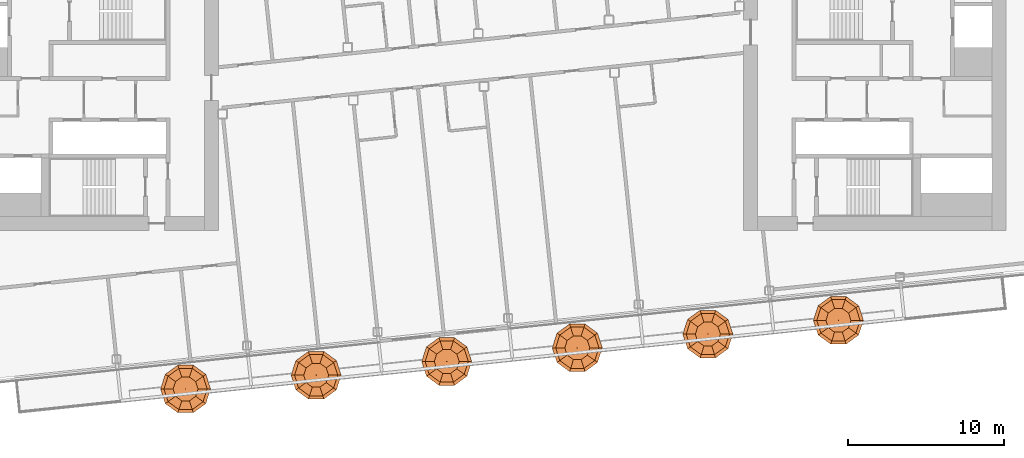
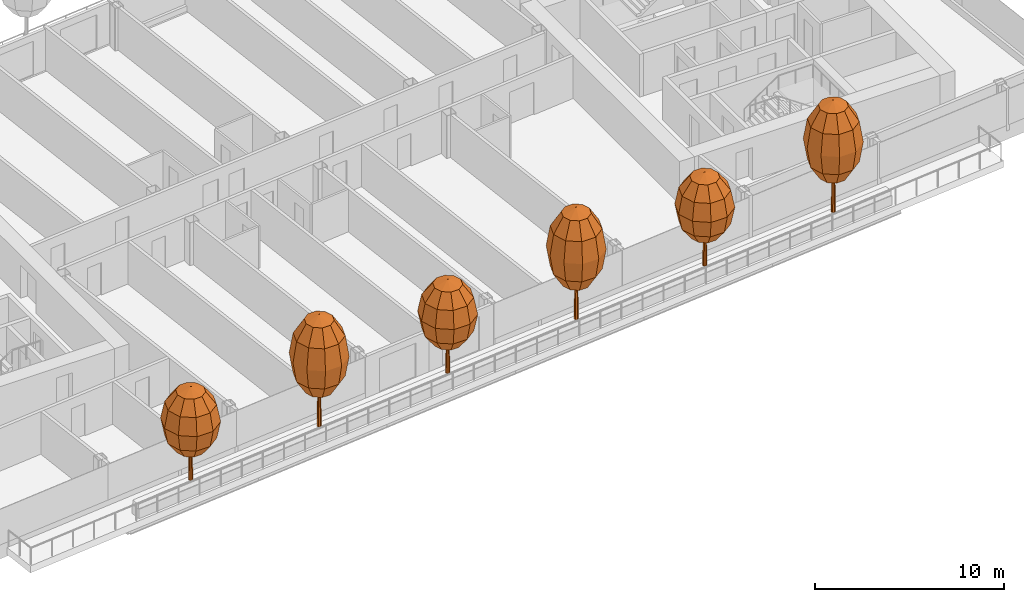
# One storey, part 28 of 29: 6 geographic elements.
"""IFC4 building model written with IfcOpenShell, lengths in metres."""

import ifcopenshell
import ifcopenshell.guid

model = None  # the IFC model being written
_history = None  # IfcOwnerHistory: only IFC2X3 demands one
_inside = {}  # id of a spatial element -> (the spatial element, [elements in it])
_under = {}  # id of a project, library or spatial element -> (it, [spatial elements below it])
_declared = {}  # id of a project -> (the project, [libraries it declares])
_typed = {}  # id of a type object -> (the type object, [elements of that type])
_made_of = {}  # id of a material, layer set ... -> (it, [elements and type objects made of it])


def new_model(schema):
    """Start an empty IFC model of exactly this schema.

    Asked for "IFC4X3", IfcOpenShell would pick the latest addendum, in which some entities
    have other attributes; the version numbers below select the first issue.
    IFC2X3 requires an IfcOwnerHistory on every rooted entity: one is made here for all.
    """
    global model, _history
    if schema == "IFC4X3":
        model = ifcopenshell.file(schema_version=(4, 3, 0, 0))
    else:
        model = ifcopenshell.file(schema=schema)
    _inside.clear()
    _under.clear()
    _declared.clear()
    _typed.clear()
    _made_of.clear()
    _history = None
    if model.schema == "IFC2X3":
        org = make("IfcOrganization", Name="unknown")
        user = make(
            "IfcPersonAndOrganization",
            ThePerson=make("IfcPerson", FamilyName="unknown"),
            TheOrganization=org,
        )
        app = make(
            "IfcApplication",
            ApplicationDeveloper=org,
            Version="unknown",
            ApplicationFullName="unknown",
            ApplicationIdentifier="unknown",
        )
        _history = make(
            "IfcOwnerHistory",
            OwningUser=user,
            OwningApplication=app,
            ChangeAction="ADDED",
            CreationDate=0,
        )
    return model


def make(cls, **values):
    """One entity of the class cls with the attributes given. An attribute that is None is left unset."""
    return model.create_entity(
        cls, **{name: value for name, value in values.items() if value is not None}
    )


def rooted(cls, **values):
    """An entity with a GlobalId (a new one), such as an element, a storey or a relation."""
    return make(cls, GlobalId=ifcopenshell.guid.new(), OwnerHistory=_history, **values)


def si_unit(unit_type, name, prefix=None):
    """IfcSIUnit, for example si_unit("LENGTHUNIT", "METRE", prefix="MILLI")."""
    return make("IfcSIUnit", UnitType=unit_type, Prefix=prefix, Name=name)


def assignment(units):
    """IfcUnitAssignment: the units of a project."""
    return None if units is None else make("IfcUnitAssignment", Units=units)


def point(xyz):
    """IfcCartesianPoint."""
    return None if xyz is None else make("IfcCartesianPoint", Coordinates=xyz)


def direction(xyz):
    """IfcDirection."""
    return None if xyz is None else make("IfcDirection", DirectionRatios=xyz)


def frame(location, z_axis=None, x_axis=None):
    """IfcAxis2Placement3D, a coordinate frame: its origin and axes. An axis left out is left unset."""
    return make(
        "IfcAxis2Placement3D",
        Location=point(location),
        Axis=direction(z_axis),
        RefDirection=direction(x_axis),
    )


def origin():
    """The frame at (0, 0, 0) with its axes left unset."""
    return frame((0.0, 0.0, 0.0))


def place(relative_to, where):
    """IfcLocalPlacement: puts the frame where relative to a parent placement (None: the world)."""
    return make(
        "IfcLocalPlacement", PlacementRelTo=relative_to, RelativePlacement=where
    )


def context(
    kind, dimensions, precision=None, world=None, true_north=None, identifier=None
):
    """IfcGeometricRepresentationContext, for example the 3D "Model" context."""
    return make(
        "IfcGeometricRepresentationContext",
        ContextIdentifier=identifier,
        ContextType=kind,
        CoordinateSpaceDimension=dimensions,
        Precision=precision,
        WorldCoordinateSystem=world,
        TrueNorth=true_north,
    )


def subcontext(parent, identifier, kind, view, scale=None):
    """IfcGeometricRepresentationSubContext, for example "Body" below "Model"."""
    return make(
        "IfcGeometricRepresentationSubContext",
        ContextIdentifier=identifier,
        ContextType=kind,
        ParentContext=parent,
        TargetScale=scale,
        TargetView=view,
    )


def project(units=None, contexts=None):
    """IfcProject with its units and contexts."""
    return rooted(
        "IfcProject",
        Name="project",
        RepresentationContexts=contexts,
        UnitsInContext=assignment(units),
    )


def spatial(cls, under=None, at=None, **own):
    """A site, building, storey or space (cls), placed at a placement, below another one or the project."""
    s = rooted(cls, ObjectPlacement=at, **own)
    if under is not None:
        _under.setdefault(under.id(), (under, []))[1].append(s)
    return s


def point_list(points):
    """IfcCartesianPointList2D or 3D."""
    cls = (
        "IfcCartesianPointList2D" if len(points[0]) == 2 else "IfcCartesianPointList3D"
    )
    return make(cls, CoordList=points)


def triangles(points, corners, closed=None, point_numbers=None):
    """IfcTriangulatedFaceSet: each triangle names its three corners, points numbered from 1."""
    return make(
        "IfcTriangulatedFaceSet",
        Coordinates=point_list(points),
        Closed=closed,
        CoordIndex=corners,
        PnIndex=point_numbers,
    )


def shape(context_of_items, identifier, shape_type, items):
    """IfcShapeRepresentation: the items that make up one representation, for example the "Body"."""
    return make(
        "IfcShapeRepresentation",
        ContextOfItems=context_of_items,
        RepresentationIdentifier=identifier,
        RepresentationType=shape_type,
        Items=items,
    )


def material(Name=None, Category=None):
    """IfcMaterial."""
    return make("IfcMaterial", Name=Name, Category=Category)


def made_of(thing, what):
    """Note that an element or type object is made of a material, layer set ...; save() writes the relation."""
    if what is not None:
        _made_of.setdefault(what.id(), (what, []))[1].append(thing)
    return thing


def type_object(cls, material=None, **own):
    """A type object (cls), such as IfcWallType, which elements share."""
    return made_of(rooted(cls, **own), material)


def element(
    cls,
    number,
    at=None,
    inside=None,
    cuts=None,
    type_object=None,
    material=None,
    context=None,
    identifier="Body",
    shape_type=None,
    held_by="IfcProductDefinitionShape",
    body=None,
    shapes=None,
    **own,
):
    """One element of the class cls, such as IfcWall. Its Tag is "e" and its number.

    at: its placement. inside: the storey or other place that contains it. cuts: it is an
    opening in that element (IfcRelVoidsElement). A single representation is given by context,
    identifier, shape_type and body (its items); several are given by shapes. held_by: the class
    of the entity that holds the representations. save() writes the other relations.
    """
    e = rooted(cls, Tag="e%d" % number, ObjectPlacement=at, **own)
    if body is not None:
        shapes = [shape(context, identifier, shape_type, body)]
    if shapes is not None:
        e.Representation = make(held_by, Representations=shapes)
    if inside is not None:
        _inside.setdefault(inside.id(), (inside, []))[1].append(e)
    if cuts is not None:
        rooted(
            "IfcRelVoidsElement", RelatingBuildingElement=cuts, RelatedOpeningElement=e
        )
    if type_object is not None:
        _typed.setdefault(type_object.id(), (type_object, []))[1].append(e)
    return made_of(e, material)


def aggregate(whole, parts):
    """IfcRelAggregates: a whole, such as a stair, and the parts it consists of."""
    return rooted("IfcRelAggregates", RelatingObject=whole, RelatedObjects=parts)


def save(model, path):
    """Write the relations noted so far, then the file.

    IfcRelAggregates (storeys below a building ...), IfcRelContainedInSpatialStructure (elements
    in a storey), IfcRelDefinesByType, IfcRelAssociatesMaterial and IfcRelDeclares: one each for
    every whole, place, type object, material and project.
    """
    for whole, parts in _under.values():
        aggregate(whole, parts)
    for where, things in _inside.values():
        rooted(
            "IfcRelContainedInSpatialStructure",
            RelatedElements=things,
            RelatingStructure=where,
        )
    for kind, things in _typed.values():
        rooted("IfcRelDefinesByType", RelatedObjects=things, RelatingType=kind)
    for what, things in _made_of.values():
        rooted("IfcRelAssociatesMaterial", RelatedObjects=things, RelatingMaterial=what)
    for by, libraries in _declared.values():
        rooted("IfcRelDeclares", RelatingContext=by, RelatedDefinitions=libraries)
    model.write(path)


model = new_model("IFC4")

# Units and contexts
model_context = context("Model", 3, precision=1e-05, world=origin(), true_north=direction((0.0, 1.0)))
body_context = subcontext(model_context, "Body", "Model", "MODEL_VIEW")
ifc_project = project(units=[si_unit("LENGTHUNIT", "METRE"), si_unit("AREAUNIT", "SQUARE_METRE"), si_unit("VOLUMEUNIT", "CUBIC_METRE"), si_unit("PLANEANGLEUNIT", "RADIAN"), si_unit("MASSUNIT", "GRAM", prefix="KILO")], contexts=[model_context])

# Site, building, storey
site_placement = place(None, origin())
site = spatial("IfcSite", under=ifc_project, at=site_placement, CompositionType="ELEMENT")
building_placement = place(site_placement, origin())
building = spatial("IfcBuilding", under=site, at=building_placement, Name="Hakoniwa Tower and Hamabe Station Hall", CompositionType="ELEMENT")
storey_placement = place(building_placement, frame((0.0, 0.0, 258.199951171875)))
storey = spatial("IfcBuildingStorey", under=building, at=storey_placement, Name="L73", CompositionType="ELEMENT", Elevation=258.199951171875)

# Geographic elements
ifc_material_1 = material(Name="Tree foliage")
geographic_element_type_1 = type_object("IfcGeographicElementType", Name="Japanese maple 7.2 m", PredefinedType="USERDEFINED", material=ifc_material_1)
geographic_element_1_placement = place(storey_placement, frame((-10.550048828125, -17.663330078125, 0.900146484375)))
element("IfcGeographicElement", 1, at=geographic_element_1_placement, inside=storey, type_object=geographic_element_type_1, Name="Japanese maple 7-2 m", ObjectType="TREE", PredefinedType="USERDEFINED", context=body_context, shape_type="Tessellation", body=[
    triangles([(0.125, 0.0, 0.0), (0.08837890625, 0.08837890625, 0.0), (0.0, 0.125, 0.0), (-0.08837890625, 0.08837890625, 0.0), (-0.125, 0.0, 0.0), (-0.08837890625, -0.08837890625, 0.0), (0.0, -0.125, 0.0), (0.08837890625, -0.08837890625, 0.0), (0.074951171875, 0.0, 4.348876953125), (0.052978515625, 0.052978515625, 4.348876953125), (0.0, 0.074951171875, 4.348876953125), (-0.052978515625, 0.052978515625, 4.348876953125), (-0.074951171875, 0.0, 4.348876953125), (-0.052978515625, -0.052978515625, 4.348876953125), (0.0, -0.074951171875, 4.348876953125), (0.052978515625, -0.052978515625, 4.348876953125), (0.0, 0.0, 0.0), (0.0, 0.0, 4.348876953125)], [[1, 2, 10], [1, 10, 9], [17, 2, 1], [18, 9, 10], [2, 3, 11], [2, 11, 10], [17, 3, 2], [18, 10, 11], [3, 4, 12], [3, 12, 11], [17, 4, 3], [18, 11, 12], [4, 5, 13], [4, 13, 12], [17, 5, 4], [18, 12, 13], [5, 6, 14], [5, 14, 13], [17, 6, 5], [18, 13, 14], [6, 7, 15], [6, 15, 14], [17, 7, 6], [18, 14, 15], [7, 8, 16], [7, 16, 15], [17, 8, 7], [18, 15, 16], [8, 1, 9], [8, 9, 16], [17, 1, 8], [18, 16, 9]], closed=True),
    triangles([(0.0, 0.0, 2.015869140625), (0.800048828125, 0.0, 2.36328125), (0.647216796875, 0.47021484375, 2.36328125), (0.247314453125, 0.7607421875, 2.36328125), (-0.247314453125, 0.7607421875, 2.36328125), (-0.647216796875, 0.47021484375, 2.36328125), (-0.800048828125, 0.0, 2.36328125), (-0.647216796875, -0.47021484375, 2.36328125), (-0.247314453125, -0.7607421875, 2.36328125), (0.247314453125, -0.7607421875, 2.36328125), (0.647216796875, -0.47021484375, 2.36328125), (1.385498046875, 0.0, 3.31201171875), (1.12109375, 0.814453125, 3.31201171875), (0.42822265625, 1.31787109375, 3.31201171875), (-0.42822265625, 1.31787109375, 3.31201171875), (-1.12109375, 0.814453125, 3.31201171875), (-1.385498046875, 0.0, 3.31201171875), (-1.12109375, -0.814453125, 3.31201171875), (-0.42822265625, -1.31787109375, 3.31201171875), (0.42822265625, -1.31787109375, 3.31201171875), (1.12109375, -0.814453125, 3.31201171875), (1.60009765625, 0.0, 4.60791015625), (1.29443359375, 0.9404296875, 4.60791015625), (0.494384765625, 1.521728515625, 4.60791015625), (-0.494384765625, 1.521728515625, 4.60791015625), (-1.29443359375, 0.9404296875, 4.60791015625), (-1.60009765625, 0.0, 4.60791015625), (-1.29443359375, -0.9404296875, 4.60791015625), (-0.494384765625, -1.521728515625, 4.60791015625), (0.494384765625, -1.521728515625, 4.60791015625), (1.29443359375, -0.9404296875, 4.60791015625), (1.385498046875, 0.0, 5.904052734375), (1.12109375, 0.814453125, 5.904052734375), (0.42822265625, 1.31787109375, 5.904052734375), (-0.42822265625, 1.31787109375, 5.904052734375), (-1.12109375, 0.814453125, 5.904052734375), (-1.385498046875, 0.0, 5.904052734375), (-1.12109375, -0.814453125, 5.904052734375), (-0.42822265625, -1.31787109375, 5.904052734375), (0.42822265625, -1.31787109375, 5.904052734375), (1.12109375, -0.814453125, 5.904052734375), (0.800048828125, 0.0, 6.852783203125), (0.647216796875, 0.47021484375, 6.852783203125), (0.247314453125, 0.7607421875, 6.852783203125), (-0.247314453125, 0.7607421875, 6.852783203125), (-0.647216796875, 0.47021484375, 6.852783203125), (-0.800048828125, 0.0, 6.852783203125), (-0.647216796875, -0.47021484375, 6.852783203125), (-0.247314453125, -0.7607421875, 6.852783203125), (0.247314453125, -0.7607421875, 6.852783203125), (0.647216796875, -0.47021484375, 6.852783203125), (0.0, 0.0, 7.199951171875)], [[1, 3, 2], [1, 4, 3], [1, 5, 4], [1, 6, 5], [1, 7, 6], [1, 8, 7], [1, 9, 8], [1, 10, 9], [1, 11, 10], [1, 2, 11], [2, 3, 13], [2, 13, 12], [3, 4, 14], [3, 14, 13], [4, 5, 15], [4, 15, 14], [5, 6, 16], [5, 16, 15], [6, 7, 17], [6, 17, 16], [7, 8, 18], [7, 18, 17], [8, 9, 19], [8, 19, 18], [9, 10, 20], [9, 20, 19], [10, 11, 21], [10, 21, 20], [11, 2, 12], [11, 12, 21], [12, 13, 23], [12, 23, 22], [13, 14, 24], [13, 24, 23], [14, 15, 25], [14, 25, 24], [15, 16, 26], [15, 26, 25], [16, 17, 27], [16, 27, 26], [17, 18, 28], [17, 28, 27], [18, 19, 29], [18, 29, 28], [19, 20, 30], [19, 30, 29], [20, 21, 31], [20, 31, 30], [21, 12, 22], [21, 22, 31], [22, 23, 33], [22, 33, 32], [23, 24, 34], [23, 34, 33], [24, 25, 35], [24, 35, 34], [25, 26, 36], [25, 36, 35], [26, 27, 37], [26, 37, 36], [27, 28, 38], [27, 38, 37], [28, 29, 39], [28, 39, 38], [29, 30, 40], [29, 40, 39], [30, 31, 41], [30, 41, 40], [31, 22, 32], [31, 32, 41], [32, 33, 43], [32, 43, 42], [33, 34, 44], [33, 44, 43], [34, 35, 45], [34, 45, 44], [35, 36, 46], [35, 46, 45], [36, 37, 47], [36, 47, 46], [37, 38, 48], [37, 48, 47], [38, 39, 49], [38, 49, 48], [39, 40, 50], [39, 50, 49], [40, 41, 51], [40, 51, 50], [41, 32, 42], [41, 42, 51], [52, 42, 43], [52, 43, 44], [52, 44, 45], [52, 45, 46], [52, 46, 47], [52, 47, 48], [52, 48, 49], [52, 49, 50], [52, 50, 51], [52, 51, 42]], closed=True),
])
geographic_element_2_placement = place(storey_placement, frame((6.15771484375, -15.9072265625, 0.900146484375)))
element("IfcGeographicElement", 2, at=geographic_element_2_placement, inside=storey, type_object=geographic_element_type_1, Name="Japanese maple 7-2 m", ObjectType="TREE", PredefinedType="USERDEFINED", context=body_context, shape_type="Tessellation", body=[
    triangles([(0.125, 0.0, 0.0), (0.08837890625, 0.08837890625, 0.0), (0.0, 0.125, 0.0), (-0.08837890625, 0.08837890625, 0.0), (-0.125, 0.0, 0.0), (-0.08837890625, -0.08837890625, 0.0), (0.0, -0.125, 0.0), (0.08837890625, -0.08837890625, 0.0), (0.074951171875, 0.0, 4.348876953125), (0.052978515625, 0.052978515625, 4.348876953125), (0.0, 0.074951171875, 4.348876953125), (-0.052978515625, 0.052978515625, 4.348876953125), (-0.074951171875, 0.0, 4.348876953125), (-0.052978515625, -0.052978515625, 4.348876953125), (0.0, -0.074951171875, 4.348876953125), (0.052978515625, -0.052978515625, 4.348876953125), (0.0, 0.0, 0.0), (0.0, 0.0, 4.348876953125)], [[1, 2, 10], [1, 10, 9], [17, 2, 1], [18, 9, 10], [2, 3, 11], [2, 11, 10], [17, 3, 2], [18, 10, 11], [3, 4, 12], [3, 12, 11], [17, 4, 3], [18, 11, 12], [4, 5, 13], [4, 13, 12], [17, 5, 4], [18, 12, 13], [5, 6, 14], [5, 14, 13], [17, 6, 5], [18, 13, 14], [6, 7, 15], [6, 15, 14], [17, 7, 6], [18, 14, 15], [7, 8, 16], [7, 16, 15], [17, 8, 7], [18, 15, 16], [8, 1, 9], [8, 9, 16], [17, 1, 8], [18, 16, 9]], closed=True),
    triangles([(0.0, 0.0, 2.015869140625), (0.800048828125, 0.0, 2.36328125), (0.647216796875, 0.47021484375, 2.36328125), (0.247314453125, 0.7607421875, 2.36328125), (-0.247314453125, 0.7607421875, 2.36328125), (-0.647216796875, 0.47021484375, 2.36328125), (-0.800048828125, 0.0, 2.36328125), (-0.647216796875, -0.47021484375, 2.36328125), (-0.247314453125, -0.7607421875, 2.36328125), (0.247314453125, -0.7607421875, 2.36328125), (0.647216796875, -0.47021484375, 2.36328125), (1.385498046875, 0.0, 3.31201171875), (1.12109375, 0.814453125, 3.31201171875), (0.42822265625, 1.31787109375, 3.31201171875), (-0.42822265625, 1.31787109375, 3.31201171875), (-1.12109375, 0.814453125, 3.31201171875), (-1.385498046875, 0.0, 3.31201171875), (-1.12109375, -0.814453125, 3.31201171875), (-0.42822265625, -1.31787109375, 3.31201171875), (0.42822265625, -1.31787109375, 3.31201171875), (1.12109375, -0.814453125, 3.31201171875), (1.60009765625, 0.0, 4.60791015625), (1.29443359375, 0.9404296875, 4.60791015625), (0.494384765625, 1.521728515625, 4.60791015625), (-0.494384765625, 1.521728515625, 4.60791015625), (-1.29443359375, 0.9404296875, 4.60791015625), (-1.60009765625, 0.0, 4.60791015625), (-1.29443359375, -0.9404296875, 4.60791015625), (-0.494384765625, -1.521728515625, 4.60791015625), (0.494384765625, -1.521728515625, 4.60791015625), (1.29443359375, -0.9404296875, 4.60791015625), (1.385498046875, 0.0, 5.904052734375), (1.12109375, 0.814453125, 5.904052734375), (0.42822265625, 1.31787109375, 5.904052734375), (-0.42822265625, 1.31787109375, 5.904052734375), (-1.12109375, 0.814453125, 5.904052734375), (-1.385498046875, 0.0, 5.904052734375), (-1.12109375, -0.814453125, 5.904052734375), (-0.42822265625, -1.31787109375, 5.904052734375), (0.42822265625, -1.31787109375, 5.904052734375), (1.12109375, -0.814453125, 5.904052734375), (0.800048828125, 0.0, 6.852783203125), (0.647216796875, 0.47021484375, 6.852783203125), (0.247314453125, 0.7607421875, 6.852783203125), (-0.247314453125, 0.7607421875, 6.852783203125), (-0.647216796875, 0.47021484375, 6.852783203125), (-0.800048828125, 0.0, 6.852783203125), (-0.647216796875, -0.47021484375, 6.852783203125), (-0.247314453125, -0.7607421875, 6.852783203125), (0.247314453125, -0.7607421875, 6.852783203125), (0.647216796875, -0.47021484375, 6.852783203125), (0.0, 0.0, 7.199951171875)], [[1, 3, 2], [1, 4, 3], [1, 5, 4], [1, 6, 5], [1, 7, 6], [1, 8, 7], [1, 9, 8], [1, 10, 9], [1, 11, 10], [1, 2, 11], [2, 3, 13], [2, 13, 12], [3, 4, 14], [3, 14, 13], [4, 5, 15], [4, 15, 14], [5, 6, 16], [5, 16, 15], [6, 7, 17], [6, 17, 16], [7, 8, 18], [7, 18, 17], [8, 9, 19], [8, 19, 18], [9, 10, 20], [9, 20, 19], [10, 11, 21], [10, 21, 20], [11, 2, 12], [11, 12, 21], [12, 13, 23], [12, 23, 22], [13, 14, 24], [13, 24, 23], [14, 15, 25], [14, 25, 24], [15, 16, 26], [15, 26, 25], [16, 17, 27], [16, 27, 26], [17, 18, 28], [17, 28, 27], [18, 19, 29], [18, 29, 28], [19, 20, 30], [19, 30, 29], [20, 21, 31], [20, 31, 30], [21, 12, 22], [21, 22, 31], [22, 23, 33], [22, 33, 32], [23, 24, 34], [23, 34, 33], [24, 25, 35], [24, 35, 34], [25, 26, 36], [25, 36, 35], [26, 27, 37], [26, 37, 36], [27, 28, 38], [27, 38, 37], [28, 29, 39], [28, 39, 38], [29, 30, 40], [29, 40, 39], [30, 31, 41], [30, 41, 40], [31, 22, 32], [31, 32, 41], [32, 33, 43], [32, 43, 42], [33, 34, 44], [33, 44, 43], [34, 35, 45], [34, 45, 44], [35, 36, 46], [35, 46, 45], [36, 37, 47], [36, 47, 46], [37, 38, 48], [37, 48, 47], [38, 39, 49], [38, 49, 48], [39, 40, 50], [39, 50, 49], [40, 41, 51], [40, 51, 50], [41, 32, 42], [41, 42, 51], [52, 42, 43], [52, 43, 44], [52, 44, 45], [52, 45, 46], [52, 46, 47], [52, 47, 48], [52, 48, 49], [52, 49, 50], [52, 50, 51], [52, 51, 42]], closed=True),
])
geographic_element_3_placement = place(storey_placement, frame((22.86572265625, -14.151123046875, 0.900146484375)))
element("IfcGeographicElement", 3, at=geographic_element_3_placement, inside=storey, type_object=geographic_element_type_1, Name="Japanese maple 7-2 m", ObjectType="TREE", PredefinedType="USERDEFINED", context=body_context, shape_type="Tessellation", body=[
    triangles([(0.125, 0.0, 0.0), (0.08837890625, 0.08837890625, 0.0), (0.0, 0.125, 0.0), (-0.08837890625, 0.08837890625, 0.0), (-0.125, 0.0, 0.0), (-0.08837890625, -0.08837890625, 0.0), (0.0, -0.125, 0.0), (0.08837890625, -0.08837890625, 0.0), (0.074951171875, 0.0, 4.348876953125), (0.052978515625, 0.052978515625, 4.348876953125), (0.0, 0.074951171875, 4.348876953125), (-0.052978515625, 0.052978515625, 4.348876953125), (-0.074951171875, 0.0, 4.348876953125), (-0.052978515625, -0.052978515625, 4.348876953125), (0.0, -0.074951171875, 4.348876953125), (0.052978515625, -0.052978515625, 4.348876953125), (0.0, 0.0, 0.0), (0.0, 0.0, 4.348876953125)], [[1, 2, 10], [1, 10, 9], [17, 2, 1], [18, 9, 10], [2, 3, 11], [2, 11, 10], [17, 3, 2], [18, 10, 11], [3, 4, 12], [3, 12, 11], [17, 4, 3], [18, 11, 12], [4, 5, 13], [4, 13, 12], [17, 5, 4], [18, 12, 13], [5, 6, 14], [5, 14, 13], [17, 6, 5], [18, 13, 14], [6, 7, 15], [6, 15, 14], [17, 7, 6], [18, 14, 15], [7, 8, 16], [7, 16, 15], [17, 8, 7], [18, 15, 16], [8, 1, 9], [8, 9, 16], [17, 1, 8], [18, 16, 9]], closed=True),
    triangles([(0.0, 0.0, 2.015869140625), (0.800048828125, 0.0, 2.36328125), (0.647216796875, 0.47021484375, 2.36328125), (0.247314453125, 0.7607421875, 2.36328125), (-0.247314453125, 0.7607421875, 2.36328125), (-0.647216796875, 0.47021484375, 2.36328125), (-0.800048828125, 0.0, 2.36328125), (-0.647216796875, -0.47021484375, 2.36328125), (-0.247314453125, -0.7607421875, 2.36328125), (0.247314453125, -0.7607421875, 2.36328125), (0.647216796875, -0.47021484375, 2.36328125), (1.385498046875, 0.0, 3.31201171875), (1.12109375, 0.814453125, 3.31201171875), (0.42822265625, 1.31787109375, 3.31201171875), (-0.42822265625, 1.31787109375, 3.31201171875), (-1.12109375, 0.814453125, 3.31201171875), (-1.385498046875, 0.0, 3.31201171875), (-1.12109375, -0.814453125, 3.31201171875), (-0.42822265625, -1.31787109375, 3.31201171875), (0.42822265625, -1.31787109375, 3.31201171875), (1.12109375, -0.814453125, 3.31201171875), (1.60009765625, 0.0, 4.60791015625), (1.29443359375, 0.9404296875, 4.60791015625), (0.494384765625, 1.521728515625, 4.60791015625), (-0.494384765625, 1.521728515625, 4.60791015625), (-1.29443359375, 0.9404296875, 4.60791015625), (-1.60009765625, 0.0, 4.60791015625), (-1.29443359375, -0.9404296875, 4.60791015625), (-0.494384765625, -1.521728515625, 4.60791015625), (0.494384765625, -1.521728515625, 4.60791015625), (1.29443359375, -0.9404296875, 4.60791015625), (1.385498046875, 0.0, 5.904052734375), (1.12109375, 0.814453125, 5.904052734375), (0.42822265625, 1.31787109375, 5.904052734375), (-0.42822265625, 1.31787109375, 5.904052734375), (-1.12109375, 0.814453125, 5.904052734375), (-1.385498046875, 0.0, 5.904052734375), (-1.12109375, -0.814453125, 5.904052734375), (-0.42822265625, -1.31787109375, 5.904052734375), (0.42822265625, -1.31787109375, 5.904052734375), (1.12109375, -0.814453125, 5.904052734375), (0.800048828125, 0.0, 6.852783203125), (0.647216796875, 0.47021484375, 6.852783203125), (0.247314453125, 0.7607421875, 6.852783203125), (-0.247314453125, 0.7607421875, 6.852783203125), (-0.647216796875, 0.47021484375, 6.852783203125), (-0.800048828125, 0.0, 6.852783203125), (-0.647216796875, -0.47021484375, 6.852783203125), (-0.247314453125, -0.7607421875, 6.852783203125), (0.247314453125, -0.7607421875, 6.852783203125), (0.647216796875, -0.47021484375, 6.852783203125), (0.0, 0.0, 7.199951171875)], [[1, 3, 2], [1, 4, 3], [1, 5, 4], [1, 6, 5], [1, 7, 6], [1, 8, 7], [1, 9, 8], [1, 10, 9], [1, 11, 10], [1, 2, 11], [2, 3, 13], [2, 13, 12], [3, 4, 14], [3, 14, 13], [4, 5, 15], [4, 15, 14], [5, 6, 16], [5, 16, 15], [6, 7, 17], [6, 17, 16], [7, 8, 18], [7, 18, 17], [8, 9, 19], [8, 19, 18], [9, 10, 20], [9, 20, 19], [10, 11, 21], [10, 21, 20], [11, 2, 12], [11, 12, 21], [12, 13, 23], [12, 23, 22], [13, 14, 24], [13, 24, 23], [14, 15, 25], [14, 25, 24], [15, 16, 26], [15, 26, 25], [16, 17, 27], [16, 27, 26], [17, 18, 28], [17, 28, 27], [18, 19, 29], [18, 29, 28], [19, 20, 30], [19, 30, 29], [20, 21, 31], [20, 31, 30], [21, 12, 22], [21, 22, 31], [22, 23, 33], [22, 33, 32], [23, 24, 34], [23, 34, 33], [24, 25, 35], [24, 35, 34], [25, 26, 36], [25, 36, 35], [26, 27, 37], [26, 37, 36], [27, 28, 38], [27, 38, 37], [28, 29, 39], [28, 39, 38], [29, 30, 40], [29, 40, 39], [30, 31, 41], [30, 41, 40], [31, 22, 32], [31, 32, 41], [32, 33, 43], [32, 43, 42], [33, 34, 44], [33, 44, 43], [34, 35, 45], [34, 45, 44], [35, 36, 46], [35, 46, 45], [36, 37, 47], [36, 47, 46], [37, 38, 48], [37, 48, 47], [38, 39, 49], [38, 49, 48], [39, 40, 50], [39, 50, 49], [40, 41, 51], [40, 51, 50], [41, 32, 42], [41, 42, 51], [52, 42, 43], [52, 43, 44], [52, 44, 45], [52, 45, 46], [52, 46, 47], [52, 47, 48], [52, 48, 49], [52, 49, 50], [52, 50, 51], [52, 51, 42]], closed=True),
])
ifc_material_2 = material(Name="Tree foliage")
geographic_element_type_2 = type_object("IfcGeographicElementType", Name="Osmanthus 6.0 m", PredefinedType="USERDEFINED", material=ifc_material_2)
geographic_element_4_placement = place(storey_placement, frame((-18.904052734375, -18.541259765625, 0.900146484375)))
element("IfcGeographicElement", 4, at=geographic_element_4_placement, inside=storey, type_object=geographic_element_type_2, Name="Osmanthus 6-0 m", ObjectType="TREE", PredefinedType="USERDEFINED", context=body_context, shape_type="Tessellation", body=[
    triangles([(0.125, 0.0, 0.0), (0.08837890625, 0.08837890625, 0.0), (0.0, 0.125, 0.0), (-0.08837890625, 0.08837890625, 0.0), (-0.125, 0.0, 0.0), (-0.08837890625, -0.08837890625, 0.0), (0.0, -0.125, 0.0), (0.08837890625, -0.08837890625, 0.0), (0.074951171875, 0.0, 3.6240234375), (0.052978515625, 0.052978515625, 3.6240234375), (0.0, 0.074951171875, 3.6240234375), (-0.052978515625, 0.052978515625, 3.6240234375), (-0.074951171875, 0.0, 3.6240234375), (-0.052978515625, -0.052978515625, 3.6240234375), (0.0, -0.074951171875, 3.6240234375), (0.052978515625, -0.052978515625, 3.6240234375), (0.0, 0.0, 0.0), (0.0, 0.0, 3.6240234375)], [[1, 2, 10], [1, 10, 9], [17, 2, 1], [18, 9, 10], [2, 3, 11], [2, 11, 10], [17, 3, 2], [18, 10, 11], [3, 4, 12], [3, 12, 11], [17, 4, 3], [18, 11, 12], [4, 5, 13], [4, 13, 12], [17, 5, 4], [18, 12, 13], [5, 6, 14], [5, 14, 13], [17, 6, 5], [18, 13, 14], [6, 7, 15], [6, 15, 14], [17, 7, 6], [18, 14, 15], [7, 8, 16], [7, 16, 15], [17, 8, 7], [18, 15, 16], [8, 1, 9], [8, 9, 16], [17, 1, 8], [18, 16, 9]], closed=True),
    triangles([(0.0, 0.0, 1.679931640625), (0.800048828125, 0.0, 1.969482421875), (0.647216796875, 0.47021484375, 1.969482421875), (0.247314453125, 0.7607421875, 1.969482421875), (-0.247314453125, 0.7607421875, 1.969482421875), (-0.647216796875, 0.47021484375, 1.969482421875), (-0.800048828125, 0.0, 1.969482421875), (-0.647216796875, -0.47021484375, 1.969482421875), (-0.247314453125, -0.7607421875, 1.969482421875), (0.247314453125, -0.7607421875, 1.969482421875), (0.647216796875, -0.47021484375, 1.969482421875), (1.385498046875, 0.0, 2.760009765625), (1.12109375, 0.814453125, 2.760009765625), (0.42822265625, 1.31787109375, 2.760009765625), (-0.42822265625, 1.31787109375, 2.760009765625), (-1.12109375, 0.814453125, 2.760009765625), (-1.385498046875, 0.0, 2.760009765625), (-1.12109375, -0.814453125, 2.760009765625), (-0.42822265625, -1.31787109375, 2.760009765625), (0.42822265625, -1.31787109375, 2.760009765625), (1.12109375, -0.814453125, 2.760009765625), (1.60009765625, 0.0, 3.840087890625), (1.29443359375, 0.9404296875, 3.840087890625), (0.494384765625, 1.521728515625, 3.840087890625), (-0.494384765625, 1.521728515625, 3.840087890625), (-1.29443359375, 0.9404296875, 3.840087890625), (-1.60009765625, 0.0, 3.840087890625), (-1.29443359375, -0.9404296875, 3.840087890625), (-0.494384765625, -1.521728515625, 3.840087890625), (0.494384765625, -1.521728515625, 3.840087890625), (1.29443359375, -0.9404296875, 3.840087890625), (1.385498046875, 0.0, 4.919921875), (1.12109375, 0.814453125, 4.919921875), (0.42822265625, 1.31787109375, 4.919921875), (-0.42822265625, 1.31787109375, 4.919921875), (-1.12109375, 0.814453125, 4.919921875), (-1.385498046875, 0.0, 4.919921875), (-1.12109375, -0.814453125, 4.919921875), (-0.42822265625, -1.31787109375, 4.919921875), (0.42822265625, -1.31787109375, 4.919921875), (1.12109375, -0.814453125, 4.919921875), (0.800048828125, 0.0, 5.710693359375), (0.647216796875, 0.47021484375, 5.710693359375), (0.247314453125, 0.7607421875, 5.710693359375), (-0.247314453125, 0.7607421875, 5.710693359375), (-0.647216796875, 0.47021484375, 5.710693359375), (-0.800048828125, 0.0, 5.710693359375), (-0.647216796875, -0.47021484375, 5.710693359375), (-0.247314453125, -0.7607421875, 5.710693359375), (0.247314453125, -0.7607421875, 5.710693359375), (0.647216796875, -0.47021484375, 5.710693359375), (0.0, 0.0, 6.0)], [[1, 3, 2], [1, 4, 3], [1, 5, 4], [1, 6, 5], [1, 7, 6], [1, 8, 7], [1, 9, 8], [1, 10, 9], [1, 11, 10], [1, 2, 11], [2, 3, 13], [2, 13, 12], [3, 4, 14], [3, 14, 13], [4, 5, 15], [4, 15, 14], [5, 6, 16], [5, 16, 15], [6, 7, 17], [6, 17, 16], [7, 8, 18], [7, 18, 17], [8, 9, 19], [8, 19, 18], [9, 10, 20], [9, 20, 19], [10, 11, 21], [10, 21, 20], [11, 2, 12], [11, 12, 21], [12, 13, 23], [12, 23, 22], [13, 14, 24], [13, 24, 23], [14, 15, 25], [14, 25, 24], [15, 16, 26], [15, 26, 25], [16, 17, 27], [16, 27, 26], [17, 18, 28], [17, 28, 27], [18, 19, 29], [18, 29, 28], [19, 20, 30], [19, 30, 29], [20, 21, 31], [20, 31, 30], [21, 12, 22], [21, 22, 31], [22, 23, 33], [22, 33, 32], [23, 24, 34], [23, 34, 33], [24, 25, 35], [24, 35, 34], [25, 26, 36], [25, 36, 35], [26, 27, 37], [26, 37, 36], [27, 28, 38], [27, 38, 37], [28, 29, 39], [28, 39, 38], [29, 30, 40], [29, 40, 39], [30, 31, 41], [30, 41, 40], [31, 22, 32], [31, 32, 41], [32, 33, 43], [32, 43, 42], [33, 34, 44], [33, 44, 43], [34, 35, 45], [34, 45, 44], [35, 36, 46], [35, 46, 45], [36, 37, 47], [36, 47, 46], [37, 38, 48], [37, 48, 47], [38, 39, 49], [38, 49, 48], [39, 40, 50], [39, 50, 49], [40, 41, 51], [40, 51, 50], [41, 32, 42], [41, 42, 51], [52, 42, 43], [52, 43, 44], [52, 44, 45], [52, 45, 46], [52, 46, 47], [52, 47, 48], [52, 48, 49], [52, 49, 50], [52, 50, 51], [52, 51, 42]], closed=True),
])
geographic_element_5_placement = place(storey_placement, frame((-2.1962890625, -16.78515625, 0.900146484375)))
element("IfcGeographicElement", 5, at=geographic_element_5_placement, inside=storey, type_object=geographic_element_type_2, Name="Osmanthus 6-0 m", ObjectType="TREE", PredefinedType="USERDEFINED", context=body_context, shape_type="Tessellation", body=[
    triangles([(0.125, 0.0, 0.0), (0.08837890625, 0.08837890625, 0.0), (0.0, 0.125, 0.0), (-0.08837890625, 0.08837890625, 0.0), (-0.125, 0.0, 0.0), (-0.08837890625, -0.08837890625, 0.0), (0.0, -0.125, 0.0), (0.08837890625, -0.08837890625, 0.0), (0.074951171875, 0.0, 3.6240234375), (0.052978515625, 0.052978515625, 3.6240234375), (0.0, 0.074951171875, 3.6240234375), (-0.052978515625, 0.052978515625, 3.6240234375), (-0.074951171875, 0.0, 3.6240234375), (-0.052978515625, -0.052978515625, 3.6240234375), (0.0, -0.074951171875, 3.6240234375), (0.052978515625, -0.052978515625, 3.6240234375), (0.0, 0.0, 0.0), (0.0, 0.0, 3.6240234375)], [[1, 2, 10], [1, 10, 9], [17, 2, 1], [18, 9, 10], [2, 3, 11], [2, 11, 10], [17, 3, 2], [18, 10, 11], [3, 4, 12], [3, 12, 11], [17, 4, 3], [18, 11, 12], [4, 5, 13], [4, 13, 12], [17, 5, 4], [18, 12, 13], [5, 6, 14], [5, 14, 13], [17, 6, 5], [18, 13, 14], [6, 7, 15], [6, 15, 14], [17, 7, 6], [18, 14, 15], [7, 8, 16], [7, 16, 15], [17, 8, 7], [18, 15, 16], [8, 1, 9], [8, 9, 16], [17, 1, 8], [18, 16, 9]], closed=True),
    triangles([(0.0, 0.0, 1.679931640625), (0.800048828125, 0.0, 1.969482421875), (0.647216796875, 0.47021484375, 1.969482421875), (0.247314453125, 0.7607421875, 1.969482421875), (-0.247314453125, 0.7607421875, 1.969482421875), (-0.647216796875, 0.47021484375, 1.969482421875), (-0.800048828125, 0.0, 1.969482421875), (-0.647216796875, -0.47021484375, 1.969482421875), (-0.247314453125, -0.7607421875, 1.969482421875), (0.247314453125, -0.7607421875, 1.969482421875), (0.647216796875, -0.47021484375, 1.969482421875), (1.385498046875, 0.0, 2.760009765625), (1.12109375, 0.814453125, 2.760009765625), (0.42822265625, 1.31787109375, 2.760009765625), (-0.42822265625, 1.31787109375, 2.760009765625), (-1.12109375, 0.814453125, 2.760009765625), (-1.385498046875, 0.0, 2.760009765625), (-1.12109375, -0.814453125, 2.760009765625), (-0.42822265625, -1.31787109375, 2.760009765625), (0.42822265625, -1.31787109375, 2.760009765625), (1.12109375, -0.814453125, 2.760009765625), (1.60009765625, 0.0, 3.840087890625), (1.29443359375, 0.9404296875, 3.840087890625), (0.494384765625, 1.521728515625, 3.840087890625), (-0.494384765625, 1.521728515625, 3.840087890625), (-1.29443359375, 0.9404296875, 3.840087890625), (-1.60009765625, 0.0, 3.840087890625), (-1.29443359375, -0.9404296875, 3.840087890625), (-0.494384765625, -1.521728515625, 3.840087890625), (0.494384765625, -1.521728515625, 3.840087890625), (1.29443359375, -0.9404296875, 3.840087890625), (1.385498046875, 0.0, 4.919921875), (1.12109375, 0.814453125, 4.919921875), (0.42822265625, 1.31787109375, 4.919921875), (-0.42822265625, 1.31787109375, 4.919921875), (-1.12109375, 0.814453125, 4.919921875), (-1.385498046875, 0.0, 4.919921875), (-1.12109375, -0.814453125, 4.919921875), (-0.42822265625, -1.31787109375, 4.919921875), (0.42822265625, -1.31787109375, 4.919921875), (1.12109375, -0.814453125, 4.919921875), (0.800048828125, 0.0, 5.710693359375), (0.647216796875, 0.47021484375, 5.710693359375), (0.247314453125, 0.7607421875, 5.710693359375), (-0.247314453125, 0.7607421875, 5.710693359375), (-0.647216796875, 0.47021484375, 5.710693359375), (-0.800048828125, 0.0, 5.710693359375), (-0.647216796875, -0.47021484375, 5.710693359375), (-0.247314453125, -0.7607421875, 5.710693359375), (0.247314453125, -0.7607421875, 5.710693359375), (0.647216796875, -0.47021484375, 5.710693359375), (0.0, 0.0, 6.0)], [[1, 3, 2], [1, 4, 3], [1, 5, 4], [1, 6, 5], [1, 7, 6], [1, 8, 7], [1, 9, 8], [1, 10, 9], [1, 11, 10], [1, 2, 11], [2, 3, 13], [2, 13, 12], [3, 4, 14], [3, 14, 13], [4, 5, 15], [4, 15, 14], [5, 6, 16], [5, 16, 15], [6, 7, 17], [6, 17, 16], [7, 8, 18], [7, 18, 17], [8, 9, 19], [8, 19, 18], [9, 10, 20], [9, 20, 19], [10, 11, 21], [10, 21, 20], [11, 2, 12], [11, 12, 21], [12, 13, 23], [12, 23, 22], [13, 14, 24], [13, 24, 23], [14, 15, 25], [14, 25, 24], [15, 16, 26], [15, 26, 25], [16, 17, 27], [16, 27, 26], [17, 18, 28], [17, 28, 27], [18, 19, 29], [18, 29, 28], [19, 20, 30], [19, 30, 29], [20, 21, 31], [20, 31, 30], [21, 12, 22], [21, 22, 31], [22, 23, 33], [22, 33, 32], [23, 24, 34], [23, 34, 33], [24, 25, 35], [24, 35, 34], [25, 26, 36], [25, 36, 35], [26, 27, 37], [26, 37, 36], [27, 28, 38], [27, 38, 37], [28, 29, 39], [28, 39, 38], [29, 30, 40], [29, 40, 39], [30, 31, 41], [30, 41, 40], [31, 22, 32], [31, 32, 41], [32, 33, 43], [32, 43, 42], [33, 34, 44], [33, 44, 43], [34, 35, 45], [34, 45, 44], [35, 36, 46], [35, 46, 45], [36, 37, 47], [36, 47, 46], [37, 38, 48], [37, 48, 47], [38, 39, 49], [38, 49, 48], [39, 40, 50], [39, 50, 49], [40, 41, 51], [40, 51, 50], [41, 32, 42], [41, 42, 51], [52, 42, 43], [52, 43, 44], [52, 44, 45], [52, 45, 46], [52, 46, 47], [52, 47, 48], [52, 48, 49], [52, 49, 50], [52, 50, 51], [52, 51, 42]], closed=True),
])
geographic_element_6_placement = place(storey_placement, frame((14.51171875, -15.029052734375, 0.900146484375)))
element("IfcGeographicElement", 6, at=geographic_element_6_placement, inside=storey, type_object=geographic_element_type_2, Name="Osmanthus 6-0 m", ObjectType="TREE", PredefinedType="USERDEFINED", context=body_context, shape_type="Tessellation", body=[
    triangles([(0.125, 0.0, 0.0), (0.08837890625, 0.08837890625, 0.0), (0.0, 0.125, 0.0), (-0.08837890625, 0.08837890625, 0.0), (-0.125, 0.0, 0.0), (-0.08837890625, -0.08837890625, 0.0), (0.0, -0.125, 0.0), (0.08837890625, -0.08837890625, 0.0), (0.074951171875, 0.0, 3.6240234375), (0.052978515625, 0.052978515625, 3.6240234375), (0.0, 0.074951171875, 3.6240234375), (-0.052978515625, 0.052978515625, 3.6240234375), (-0.074951171875, 0.0, 3.6240234375), (-0.052978515625, -0.052978515625, 3.6240234375), (0.0, -0.074951171875, 3.6240234375), (0.052978515625, -0.052978515625, 3.6240234375), (0.0, 0.0, 0.0), (0.0, 0.0, 3.6240234375)], [[1, 2, 10], [1, 10, 9], [17, 2, 1], [18, 9, 10], [2, 3, 11], [2, 11, 10], [17, 3, 2], [18, 10, 11], [3, 4, 12], [3, 12, 11], [17, 4, 3], [18, 11, 12], [4, 5, 13], [4, 13, 12], [17, 5, 4], [18, 12, 13], [5, 6, 14], [5, 14, 13], [17, 6, 5], [18, 13, 14], [6, 7, 15], [6, 15, 14], [17, 7, 6], [18, 14, 15], [7, 8, 16], [7, 16, 15], [17, 8, 7], [18, 15, 16], [8, 1, 9], [8, 9, 16], [17, 1, 8], [18, 16, 9]], closed=True),
    triangles([(0.0, 0.0, 1.679931640625), (0.800048828125, 0.0, 1.969482421875), (0.647216796875, 0.47021484375, 1.969482421875), (0.247314453125, 0.7607421875, 1.969482421875), (-0.247314453125, 0.7607421875, 1.969482421875), (-0.647216796875, 0.47021484375, 1.969482421875), (-0.800048828125, 0.0, 1.969482421875), (-0.647216796875, -0.47021484375, 1.969482421875), (-0.247314453125, -0.7607421875, 1.969482421875), (0.247314453125, -0.7607421875, 1.969482421875), (0.647216796875, -0.47021484375, 1.969482421875), (1.385498046875, 0.0, 2.760009765625), (1.12109375, 0.814453125, 2.760009765625), (0.42822265625, 1.31787109375, 2.760009765625), (-0.42822265625, 1.31787109375, 2.760009765625), (-1.12109375, 0.814453125, 2.760009765625), (-1.385498046875, 0.0, 2.760009765625), (-1.12109375, -0.814453125, 2.760009765625), (-0.42822265625, -1.31787109375, 2.760009765625), (0.42822265625, -1.31787109375, 2.760009765625), (1.12109375, -0.814453125, 2.760009765625), (1.60009765625, 0.0, 3.840087890625), (1.29443359375, 0.9404296875, 3.840087890625), (0.494384765625, 1.521728515625, 3.840087890625), (-0.494384765625, 1.521728515625, 3.840087890625), (-1.29443359375, 0.9404296875, 3.840087890625), (-1.60009765625, 0.0, 3.840087890625), (-1.29443359375, -0.9404296875, 3.840087890625), (-0.494384765625, -1.521728515625, 3.840087890625), (0.494384765625, -1.521728515625, 3.840087890625), (1.29443359375, -0.9404296875, 3.840087890625), (1.385498046875, 0.0, 4.919921875), (1.12109375, 0.814453125, 4.919921875), (0.42822265625, 1.31787109375, 4.919921875), (-0.42822265625, 1.31787109375, 4.919921875), (-1.12109375, 0.814453125, 4.919921875), (-1.385498046875, 0.0, 4.919921875), (-1.12109375, -0.814453125, 4.919921875), (-0.42822265625, -1.31787109375, 4.919921875), (0.42822265625, -1.31787109375, 4.919921875), (1.12109375, -0.814453125, 4.919921875), (0.800048828125, 0.0, 5.710693359375), (0.647216796875, 0.47021484375, 5.710693359375), (0.247314453125, 0.7607421875, 5.710693359375), (-0.247314453125, 0.7607421875, 5.710693359375), (-0.647216796875, 0.47021484375, 5.710693359375), (-0.800048828125, 0.0, 5.710693359375), (-0.647216796875, -0.47021484375, 5.710693359375), (-0.247314453125, -0.7607421875, 5.710693359375), (0.247314453125, -0.7607421875, 5.710693359375), (0.647216796875, -0.47021484375, 5.710693359375), (0.0, 0.0, 6.0)], [[1, 3, 2], [1, 4, 3], [1, 5, 4], [1, 6, 5], [1, 7, 6], [1, 8, 7], [1, 9, 8], [1, 10, 9], [1, 11, 10], [1, 2, 11], [2, 3, 13], [2, 13, 12], [3, 4, 14], [3, 14, 13], [4, 5, 15], [4, 15, 14], [5, 6, 16], [5, 16, 15], [6, 7, 17], [6, 17, 16], [7, 8, 18], [7, 18, 17], [8, 9, 19], [8, 19, 18], [9, 10, 20], [9, 20, 19], [10, 11, 21], [10, 21, 20], [11, 2, 12], [11, 12, 21], [12, 13, 23], [12, 23, 22], [13, 14, 24], [13, 24, 23], [14, 15, 25], [14, 25, 24], [15, 16, 26], [15, 26, 25], [16, 17, 27], [16, 27, 26], [17, 18, 28], [17, 28, 27], [18, 19, 29], [18, 29, 28], [19, 20, 30], [19, 30, 29], [20, 21, 31], [20, 31, 30], [21, 12, 22], [21, 22, 31], [22, 23, 33], [22, 33, 32], [23, 24, 34], [23, 34, 33], [24, 25, 35], [24, 35, 34], [25, 26, 36], [25, 36, 35], [26, 27, 37], [26, 37, 36], [27, 28, 38], [27, 38, 37], [28, 29, 39], [28, 39, 38], [29, 30, 40], [29, 40, 39], [30, 31, 41], [30, 41, 40], [31, 22, 32], [31, 32, 41], [32, 33, 43], [32, 43, 42], [33, 34, 44], [33, 44, 43], [34, 35, 45], [34, 45, 44], [35, 36, 46], [35, 46, 45], [36, 37, 47], [36, 47, 46], [37, 38, 48], [37, 48, 47], [38, 39, 49], [38, 49, 48], [39, 40, 50], [39, 50, 49], [40, 41, 51], [40, 51, 50], [41, 32, 42], [41, 42, 51], [52, 42, 43], [52, 43, 44], [52, 44, 45], [52, 45, 46], [52, 46, 47], [52, 47, 48], [52, 48, 49], [52, 49, 50], [52, 50, 51], [52, 51, 42]], closed=True),
])

save(model, "model.ifc")
